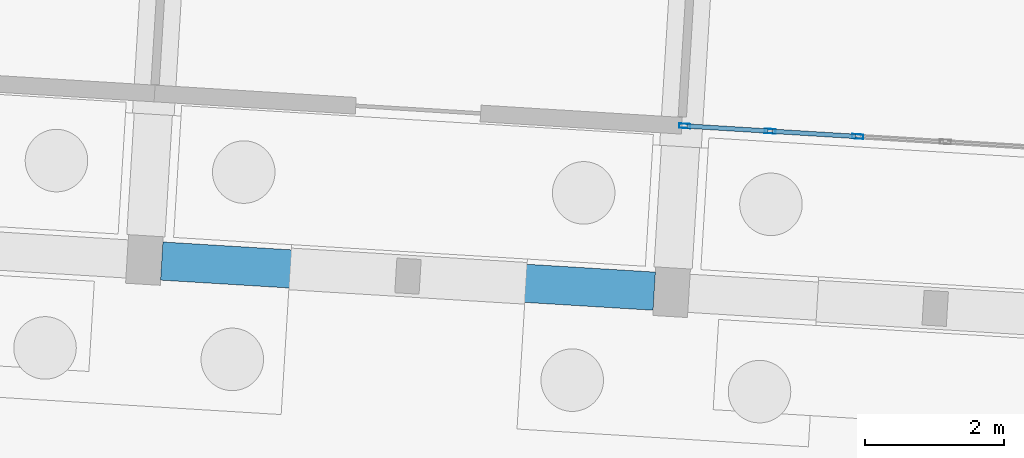
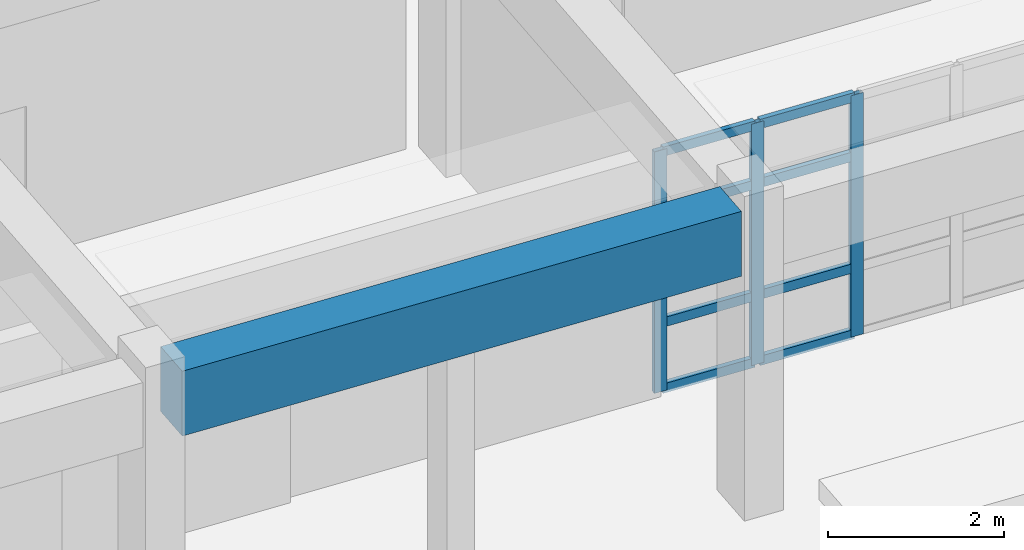
# One storey, part 47 of 154: 11 members, 1 beam, 1 element without a shape of its own.
"""IFC4 building model written with IfcOpenShell, lengths in metres."""

import ifcopenshell
import ifcopenshell.guid

model = None  # the IFC model being written
_history = None  # IfcOwnerHistory: only IFC2X3 demands one
_inside = {}  # id of a spatial element -> (the spatial element, [elements in it])
_under = {}  # id of a project, library or spatial element -> (it, [spatial elements below it])
_declared = {}  # id of a project -> (the project, [libraries it declares])
_typed = {}  # id of a type object -> (the type object, [elements of that type])
_made_of = {}  # id of a material, layer set ... -> (it, [elements and type objects made of it])


def new_model(schema):
    """Start an empty IFC model of exactly this schema.

    Asked for "IFC4X3", IfcOpenShell would pick the latest addendum, in which some entities
    have other attributes; the version numbers below select the first issue.
    IFC2X3 requires an IfcOwnerHistory on every rooted entity: one is made here for all.
    """
    global model, _history
    if schema == "IFC4X3":
        model = ifcopenshell.file(schema_version=(4, 3, 0, 0))
    else:
        model = ifcopenshell.file(schema=schema)
    _inside.clear()
    _under.clear()
    _declared.clear()
    _typed.clear()
    _made_of.clear()
    _history = None
    if model.schema == "IFC2X3":
        org = make("IfcOrganization", Name="unknown")
        user = make(
            "IfcPersonAndOrganization",
            ThePerson=make("IfcPerson", FamilyName="unknown"),
            TheOrganization=org,
        )
        app = make(
            "IfcApplication",
            ApplicationDeveloper=org,
            Version="unknown",
            ApplicationFullName="unknown",
            ApplicationIdentifier="unknown",
        )
        _history = make(
            "IfcOwnerHistory",
            OwningUser=user,
            OwningApplication=app,
            ChangeAction="ADDED",
            CreationDate=0,
        )
    return model


def make(cls, **values):
    """One entity of the class cls with the attributes given. An attribute that is None is left unset."""
    return model.create_entity(
        cls, **{name: value for name, value in values.items() if value is not None}
    )


def rooted(cls, **values):
    """An entity with a GlobalId (a new one), such as an element, a storey or a relation."""
    return make(cls, GlobalId=ifcopenshell.guid.new(), OwnerHistory=_history, **values)


def si_unit(unit_type, name, prefix=None):
    """IfcSIUnit, for example si_unit("LENGTHUNIT", "METRE", prefix="MILLI")."""
    return make("IfcSIUnit", UnitType=unit_type, Prefix=prefix, Name=name)


def assignment(units):
    """IfcUnitAssignment: the units of a project."""
    return None if units is None else make("IfcUnitAssignment", Units=units)


def point(xyz):
    """IfcCartesianPoint."""
    return None if xyz is None else make("IfcCartesianPoint", Coordinates=xyz)


def direction(xyz):
    """IfcDirection."""
    return None if xyz is None else make("IfcDirection", DirectionRatios=xyz)


def frame(location, z_axis=None, x_axis=None):
    """IfcAxis2Placement3D, a coordinate frame: its origin and axes. An axis left out is left unset."""
    return make(
        "IfcAxis2Placement3D",
        Location=point(location),
        Axis=direction(z_axis),
        RefDirection=direction(x_axis),
    )


def frame_2d(location, x_axis=None):
    """IfcAxis2Placement2D, a coordinate frame in the plane: its origin and x axis."""
    return make(
        "IfcAxis2Placement2D", Location=point(location), RefDirection=direction(x_axis)
    )


def origin():
    """The frame at (0, 0, 0) with its axes left unset."""
    return frame((0.0, 0.0, 0.0))


def origin_2d():
    """The frame at (0, 0) in the plane with its x axis left unset."""
    return frame_2d((0.0, 0.0))


def place(relative_to, where):
    """IfcLocalPlacement: puts the frame where relative to a parent placement (None: the world)."""
    return make(
        "IfcLocalPlacement", PlacementRelTo=relative_to, RelativePlacement=where
    )


def context(
    kind, dimensions, precision=None, world=None, true_north=None, identifier=None
):
    """IfcGeometricRepresentationContext, for example the 3D "Model" context."""
    return make(
        "IfcGeometricRepresentationContext",
        ContextIdentifier=identifier,
        ContextType=kind,
        CoordinateSpaceDimension=dimensions,
        Precision=precision,
        WorldCoordinateSystem=world,
        TrueNorth=true_north,
    )


def subcontext(parent, identifier, kind, view, scale=None):
    """IfcGeometricRepresentationSubContext, for example "Body" below "Model"."""
    return make(
        "IfcGeometricRepresentationSubContext",
        ContextIdentifier=identifier,
        ContextType=kind,
        ParentContext=parent,
        TargetScale=scale,
        TargetView=view,
    )


def project(units=None, contexts=None):
    """IfcProject with its units and contexts."""
    return rooted(
        "IfcProject",
        Name="project",
        RepresentationContexts=contexts,
        UnitsInContext=assignment(units),
    )


def spatial(cls, under=None, at=None, **own):
    """A site, building, storey or space (cls), placed at a placement, below another one or the project."""
    s = rooted(cls, ObjectPlacement=at, **own)
    if under is not None:
        _under.setdefault(under.id(), (under, []))[1].append(s)
    return s


def profile(cls, at=None, kind="AREA", **sizes):
    """A parametric profile (cls). Its sizes go by their IFC names, for example OverallWidth=200.0."""
    return make(cls, ProfileType=kind, Position=at, **sizes)


def rectangle(**sizes):
    """IfcRectangleProfileDef."""
    return profile("IfcRectangleProfileDef", **sizes)


def hollow_rectangle(**sizes):
    """IfcRectangleHollowProfileDef."""
    return profile("IfcRectangleHollowProfileDef", **sizes)


def extrude(swept, where, along, depth):
    """IfcExtrudedAreaSolid: the profile swept, set in the frame where, extruded along a direction by depth."""
    return make(
        "IfcExtrudedAreaSolid",
        SweptArea=swept,
        Position=where,
        ExtrudedDirection=direction(along),
        Depth=depth,
    )


def shape(context_of_items, identifier, shape_type, items):
    """IfcShapeRepresentation: the items that make up one representation, for example the "Body"."""
    return make(
        "IfcShapeRepresentation",
        ContextOfItems=context_of_items,
        RepresentationIdentifier=identifier,
        RepresentationType=shape_type,
        Items=items,
    )


def material(Name=None, Category=None):
    """IfcMaterial."""
    return make("IfcMaterial", Name=Name, Category=Category)


def material_profile(
    of_material, cross_section, Name=None, Category=None, Priority=None
):
    """IfcMaterialProfile: a cross section and its material."""
    return make(
        "IfcMaterialProfile",
        Name=Name,
        Material=of_material,
        Profile=cross_section,
        Priority=Priority,
        Category=Category,
    )


def profile_set(profiles, Name=None, composite=None):
    """IfcMaterialProfileSet."""
    return make(
        "IfcMaterialProfileSet",
        Name=Name,
        MaterialProfiles=profiles,
        CompositeProfile=composite,
    )


def made_of(thing, what):
    """Note that an element or type object is made of a material, layer set ...; save() writes the relation."""
    if what is not None:
        _made_of.setdefault(what.id(), (what, []))[1].append(thing)
    return thing


def type_object(cls, material=None, **own):
    """A type object (cls), such as IfcWallType, which elements share."""
    return made_of(rooted(cls, **own), material)


def element(
    cls,
    number,
    at=None,
    inside=None,
    cuts=None,
    type_object=None,
    material=None,
    context=None,
    identifier="Body",
    shape_type=None,
    held_by="IfcProductDefinitionShape",
    body=None,
    shapes=None,
    **own,
):
    """One element of the class cls, such as IfcWall. Its Tag is "e" and its number.

    at: its placement. inside: the storey or other place that contains it. cuts: it is an
    opening in that element (IfcRelVoidsElement). A single representation is given by context,
    identifier, shape_type and body (its items); several are given by shapes. held_by: the class
    of the entity that holds the representations. save() writes the other relations.
    """
    e = rooted(cls, Tag="e%d" % number, ObjectPlacement=at, **own)
    if body is not None:
        shapes = [shape(context, identifier, shape_type, body)]
    if shapes is not None:
        e.Representation = make(held_by, Representations=shapes)
    if inside is not None:
        _inside.setdefault(inside.id(), (inside, []))[1].append(e)
    if cuts is not None:
        rooted(
            "IfcRelVoidsElement", RelatingBuildingElement=cuts, RelatedOpeningElement=e
        )
    if type_object is not None:
        _typed.setdefault(type_object.id(), (type_object, []))[1].append(e)
    return made_of(e, material)


def aggregate(whole, parts):
    """IfcRelAggregates: a whole, such as a stair, and the parts it consists of."""
    return rooted("IfcRelAggregates", RelatingObject=whole, RelatedObjects=parts)


def save(model, path):
    """Write the relations noted so far, then the file.

    IfcRelAggregates (storeys below a building ...), IfcRelContainedInSpatialStructure (elements
    in a storey), IfcRelDefinesByType, IfcRelAssociatesMaterial and IfcRelDeclares: one each for
    every whole, place, type object, material and project.
    """
    for whole, parts in _under.values():
        aggregate(whole, parts)
    for where, things in _inside.values():
        rooted(
            "IfcRelContainedInSpatialStructure",
            RelatedElements=things,
            RelatingStructure=where,
        )
    for kind, things in _typed.values():
        rooted("IfcRelDefinesByType", RelatedObjects=things, RelatingType=kind)
    for what, things in _made_of.values():
        rooted("IfcRelAssociatesMaterial", RelatedObjects=things, RelatingMaterial=what)
    for by, libraries in _declared.values():
        rooted("IfcRelDeclares", RelatingContext=by, RelatedDefinitions=libraries)
    model.write(path)


model = new_model("IFC4")

# Units and contexts
model_context = context("Model", 3, precision=1e-05, world=origin(), true_north=direction((0.0, 1.0)))
body_context = subcontext(model_context, "Body", "Model", "MODEL_VIEW")
ifc_project = project(units=[si_unit("LENGTHUNIT", "METRE"), si_unit("AREAUNIT", "SQUARE_METRE"), si_unit("VOLUMEUNIT", "CUBIC_METRE"), si_unit("PLANEANGLEUNIT", "RADIAN"), si_unit("MASSUNIT", "GRAM", prefix="KILO")], contexts=[model_context])

# Site, building, storey
site_placement = place(None, origin())
site = spatial("IfcSite", under=ifc_project, at=site_placement, CompositionType="ELEMENT")
building_placement = place(site_placement, origin())
building = spatial("IfcBuilding", under=site, at=building_placement, Name="Kestramere Prow Commons", CompositionType="ELEMENT")
storey_placement = place(building_placement, origin())
storey = spatial("IfcBuildingStorey", under=building, at=storey_placement, Name="L00", CompositionType="ELEMENT", Elevation=0.0)

# Curtain wall, members
ifc_material_1 = material(Name="Anodised Aluminium and Low-E Glass", Category="aluminium")
curtain_wall_type = type_object("IfcCurtainWallType", Name="CW-07 Glazed Curtain Wall 7580x3350", PredefinedType="USERDEFINED", material=ifc_material_1)
curtain_wall_placement = place(storey_placement, origin())
curtain_wall = element("IfcCurtainWall", 1, at=curtain_wall_placement, inside=storey, type_object=curtain_wall_type, Name="Block C L00 South Colonnade Storefront 5", ObjectType="GLAZED CURTAIN WALL", PredefinedType="USERDEFINED")
ifc_material_2 = material(Name="Anodised Aluminium 6063-T6", Category="aluminium")
ifc_material_profile_1 = material_profile(ifc_material_2, hollow_rectangle(XDim=0.06494140625, YDim=0.159912109375, WallThickness=0.00390625, at=origin_2d()), Name="ALU-MUL 65x160")
ifc_profile_set_1 = profile_set([ifc_material_profile_1], Name="Anodised Aluminium 6063-T6")
member_type_1 = type_object("IfcMemberType", Name="CW-MUL-65x160", PredefinedType="MULLION", material=ifc_profile_set_1)
member_1_placement = place(storey_placement, frame((92.521728515625, 46.884765625, 0.0), z_axis=(0.0, 0.0, 1.0), x_axis=(-0.061048554987, -0.998134797477, 0.0)))
member_1 = element("IfcMember", 2, at=member_1_placement, type_object=member_type_1, Name="CW-07 mullion 5", PredefinedType="MULLION", context=body_context, shape_type="SweptSolid", body=[
    extrude(hollow_rectangle(XDim=0.06494140625, YDim=0.159912109375, WallThickness=0.00390625, at=origin_2d()), origin(), (0.0, 0.0, 1.0), 3.35009765625),
])
member_2_placement = place(storey_placement, frame((91.2607421875, 46.9619140625, 0.0), z_axis=(0.0, 0.0, 1.0), x_axis=(-0.061048554987, -0.998134797477, 0.0)))
member_2 = element("IfcMember", 3, at=member_2_placement, type_object=member_type_1, Name="CW-07 mullion 6", PredefinedType="MULLION", context=body_context, shape_type="SweptSolid", body=[
    extrude(hollow_rectangle(XDim=0.06494140625, YDim=0.159912109375, WallThickness=0.00390625, at=origin_2d()), origin(), (0.0, 0.0, 1.0), 3.35009765625),
])
member_3_placement = place(storey_placement, frame((90.0322265625, 47.037109375, 0.0), z_axis=(0.0, 0.0, 1.0), x_axis=(-0.061048554987, -0.998134797477, 0.0)))
member_3 = element("IfcMember", 4, at=member_3_placement, type_object=member_type_1, Name="CW-07 mullion 7", PredefinedType="MULLION", context=body_context, shape_type="SweptSolid", body=[
    extrude(hollow_rectangle(XDim=0.06494140625, YDim=0.159912109375, WallThickness=0.00390625, at=origin_2d()), origin(), (0.0, 0.0, 1.0), 3.35009765625),
])
ifc_material_profile_2 = material_profile(ifc_material_2, hollow_rectangle(XDim=0.06494140625, YDim=0.1298828125, WallThickness=0.00390625, at=origin_2d()), Name="ALU-TRN 65x130")
ifc_profile_set_2 = profile_set([ifc_material_profile_2], Name="Anodised Aluminium 6063-T6")
member_type_2 = type_object("IfcMemberType", Name="CW-TRN-65x130", PredefinedType="USERDEFINED", material=ifc_profile_set_2)
member_4_placement = place(storey_placement, frame((92.4892578125, 46.88671875, 0.032470703125), z_axis=(-0.998130272627, 0.061122490669, 0.0), x_axis=(-0.061122490669, -0.998130272627, 0.0)))
member_4 = element("IfcMember", 5, at=member_4_placement, type_object=member_type_2, Name="CW-07 transom 5.1", ObjectType="TRANSOM", PredefinedType="USERDEFINED", context=body_context, shape_type="SweptSolid", body=[
    extrude(hollow_rectangle(XDim=0.06494140625, YDim=0.1298828125, WallThickness=0.00390625, at=origin_2d()), origin(), (0.0, 0.0, 1.0), 1.1982421875),
])
member_5_placement = place(storey_placement, frame((92.4892578125, 46.88671875, 0.949951171875), z_axis=(-0.998130272627, 0.061122490669, 0.0), x_axis=(-0.061122490669, -0.998130272627, 0.0)))
member_5 = element("IfcMember", 6, at=member_5_placement, type_object=member_type_2, Name="CW-07 transom 5.2", ObjectType="TRANSOM", PredefinedType="USERDEFINED", context=body_context, shape_type="SweptSolid", body=[
    extrude(hollow_rectangle(XDim=0.06494140625, YDim=0.1298828125, WallThickness=0.00390625, at=origin_2d()), origin(), (0.0, 0.0, 1.0), 1.1982421875),
])
member_6_placement = place(storey_placement, frame((92.4892578125, 46.88671875, 2.5), z_axis=(-0.998130272627, 0.061122490669, 0.0), x_axis=(-0.061122490669, -0.998130272627, 0.0)))
member_6 = element("IfcMember", 7, at=member_6_placement, type_object=member_type_2, Name="CW-07 transom 5.3", ObjectType="TRANSOM", PredefinedType="USERDEFINED", context=body_context, shape_type="SweptSolid", body=[
    extrude(hollow_rectangle(XDim=0.06494140625, YDim=0.1298828125, WallThickness=0.00390625, at=origin_2d()), origin(), (0.0, 0.0, 1.0), 1.1982421875),
])
member_7_placement = place(storey_placement, frame((92.4892578125, 46.88671875, 3.3173828125), z_axis=(-0.998130272627, 0.061122490669, 0.0), x_axis=(-0.061122490669, -0.998130272627, 0.0)))
member_7 = element("IfcMember", 8, at=member_7_placement, type_object=member_type_2, Name="CW-07 transom 5.4", ObjectType="TRANSOM", PredefinedType="USERDEFINED", context=body_context, shape_type="SweptSolid", body=[
    extrude(hollow_rectangle(XDim=0.06494140625, YDim=0.1298828125, WallThickness=0.00390625, at=origin_2d()), origin(), (0.0, 0.0, 1.0), 1.1982421875),
])
member_8_placement = place(storey_placement, frame((91.228271484375, 46.9638671875, 0.032470703125), z_axis=(-0.998128425684, 0.061152643789, 0.0), x_axis=(-0.061152643789, -0.998128425684, 0.0)))
member_8 = element("IfcMember", 9, at=member_8_placement, type_object=member_type_2, Name="CW-07 transom 6.1", ObjectType="TRANSOM", PredefinedType="USERDEFINED", context=body_context, shape_type="SweptSolid", body=[
    extrude(hollow_rectangle(XDim=0.06494140625, YDim=0.1298828125, WallThickness=0.00390625, at=origin_2d()), origin(), (0.0, 0.0, 1.0), 1.165771484375),
])
member_9_placement = place(storey_placement, frame((91.228271484375, 46.9638671875, 0.949951171875), z_axis=(-0.998128425684, 0.061152643789, 0.0), x_axis=(-0.061152643789, -0.998128425684, 0.0)))
member_9 = element("IfcMember", 10, at=member_9_placement, type_object=member_type_2, Name="CW-07 transom 6.2", ObjectType="TRANSOM", PredefinedType="USERDEFINED", context=body_context, shape_type="SweptSolid", body=[
    extrude(hollow_rectangle(XDim=0.06494140625, YDim=0.1298828125, WallThickness=0.00390625, at=origin_2d()), origin(), (0.0, 0.0, 1.0), 1.165771484375),
])
member_10_placement = place(storey_placement, frame((91.228271484375, 46.9638671875, 2.5), z_axis=(-0.998128425684, 0.061152643789, 0.0), x_axis=(-0.061152643789, -0.998128425684, 0.0)))
member_10 = element("IfcMember", 11, at=member_10_placement, type_object=member_type_2, Name="CW-07 transom 6.3", ObjectType="TRANSOM", PredefinedType="USERDEFINED", context=body_context, shape_type="SweptSolid", body=[
    extrude(hollow_rectangle(XDim=0.06494140625, YDim=0.1298828125, WallThickness=0.00390625, at=origin_2d()), origin(), (0.0, 0.0, 1.0), 1.165771484375),
])
member_11_placement = place(storey_placement, frame((91.228271484375, 46.9638671875, 3.3173828125), z_axis=(-0.998128425684, 0.061152643789, 0.0), x_axis=(-0.061152643789, -0.998128425684, 0.0)))
member_11 = element("IfcMember", 12, at=member_11_placement, type_object=member_type_2, Name="CW-07 transom 6.4", ObjectType="TRANSOM", PredefinedType="USERDEFINED", context=body_context, shape_type="SweptSolid", body=[
    extrude(hollow_rectangle(XDim=0.06494140625, YDim=0.1298828125, WallThickness=0.00390625, at=origin_2d()), origin(), (0.0, 0.0, 1.0), 1.165771484375),
])
aggregate(curtain_wall, [member_1, member_2, member_3, member_4, member_5, member_6, member_7, member_8, member_9, member_10, member_11])

# Beam
ifc_material_3 = material(Name="Precast concrete C40/50", Category="concrete")
ifc_material_profile_3 = material_profile(ifc_material_3, rectangle(XDim=0.550048828125, YDim=0.89990234375, at=origin_2d()), Name="PC-TG 550x900")
ifc_profile_set_3 = profile_set([ifc_material_profile_3], Name="Precast concrete C40/50")
beam_type = type_object("IfcBeamType", Name="TG-01 PC-TG 550x900 (EX)", PredefinedType="BEAM", material=ifc_profile_set_3)
beam_placement = place(storey_placement, frame((82.507080078125, 45.0927734375, 3.800048828125), z_axis=(0.998135568114, -0.061035953884, 0.0), x_axis=(0.061035953884, 0.998135568114, 0.0)))
element("IfcBeam", 13, at=beam_placement, inside=storey, type_object=beam_type, Name="Block C L00 Longitudinal Beam 1-4", PredefinedType="BEAM", context=body_context, shape_type="SweptSolid", body=[
    extrude(rectangle(XDim=0.550048828125, YDim=0.89990234375, at=origin_2d()), origin(), (0.0, 0.0, 1.0), 7.099853515625),
])

save(model, "model.ifc")
